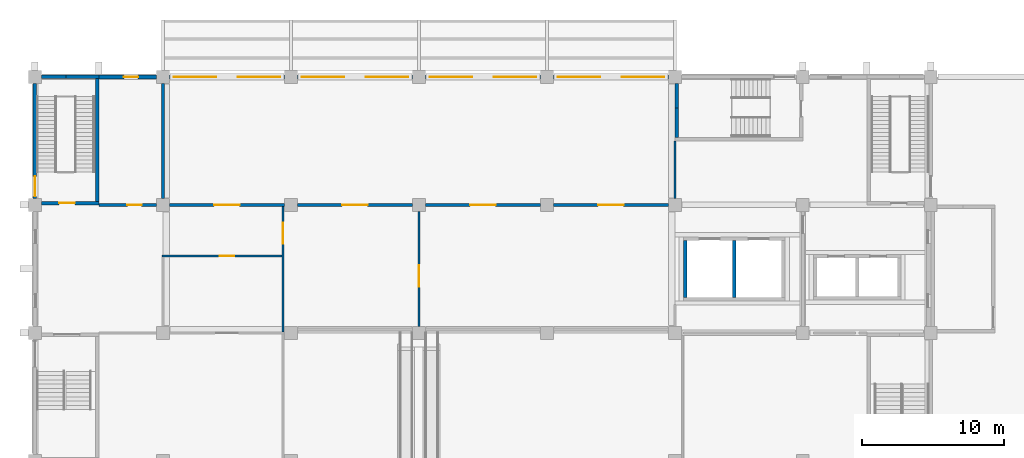
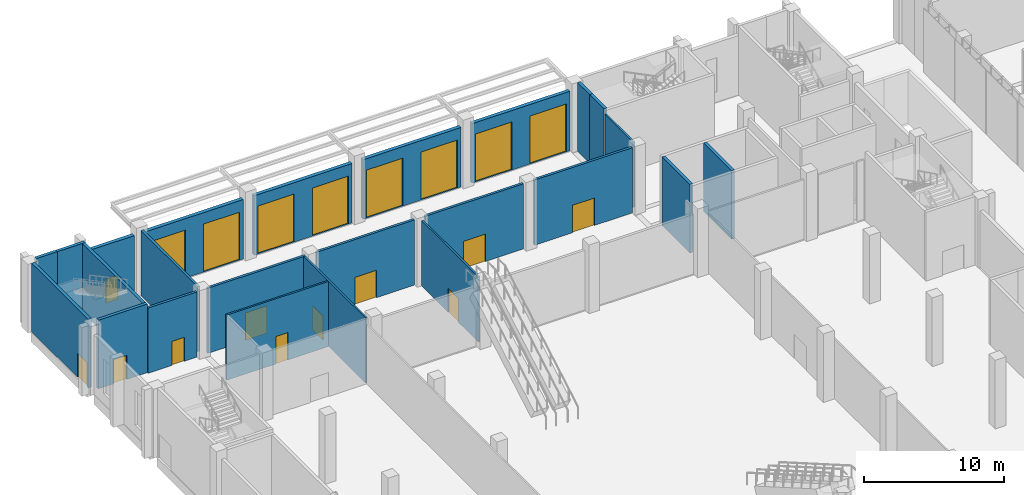
# One storey, part 54 of 86: 24 walls, 19 doors, 19 openings.
"""IFC4 building model written with IfcOpenShell, lengths in metres."""

from ifc_helpers import new_model, si_unit, direction, frame, frame_2d, origin, place, context, subcontext, project, spatial, rectangle, extrude, material, layer, layer_set, type_object, element, fill, save


model = new_model("IFC4")

# Units and contexts
model_context = context("Model", 3, precision=1e-05, world=origin(), true_north=direction((0.0, 1.0)))
body_context = subcontext(model_context, "Body", "Model", "MODEL_VIEW")
ifc_project = project(units=[si_unit("LENGTHUNIT", "METRE"), si_unit("AREAUNIT", "SQUARE_METRE"), si_unit("VOLUMEUNIT", "CUBIC_METRE"), si_unit("PLANEANGLEUNIT", "RADIAN"), si_unit("MASSUNIT", "GRAM", prefix="KILO")], contexts=[model_context])

# Site, building, storey
site_placement = place(None, origin())
site = spatial("IfcSite", under=ifc_project, at=site_placement, CompositionType="ELEMENT")
building_placement = place(site_placement, origin())
building = spatial("IfcBuilding", under=site, at=building_placement, Name="Guidao Yard Department Store", CompositionType="ELEMENT")
storey_placement = place(building_placement, origin())
storey = spatial("IfcBuildingStorey", under=building, at=storey_placement, Name="L00", CompositionType="ELEMENT", Elevation=0.0)

# Wall, opening, door
ifc_material_1 = material(Name="Concrete block MU10", Category="concrete")
ifc_layer_1 = layer(ifc_material_1, 0.199951171875)
ifc_layer_set_1 = layer_set([ifc_layer_1], Name="Fire Wall P3 200 mm blockwork EI 120")
wall_type_1 = type_object("IfcWallType", Name="Fire Wall P3 200 mm blockwork EI 120", PredefinedType="PARTITIONING", material=ifc_layer_set_1)
wall_1_placement = place(storey_placement, frame((4.5, 99.0, 0.0), z_axis=(0.0, 0.0, 1.0), x_axis=(1.0, 0.0, 0.0)))
wall_1 = element("IfcWall", 1, at=wall_1_placement, inside=storey, type_object=wall_type_1, Name="Wall W-HL00-021", PredefinedType="PARTITIONING", context=body_context, shape_type="SweptSolid", body=[
    extrude(rectangle(XDim=4.050048828125, YDim=0.199951171875, at=frame_2d((2.02490234375, 0.0))), origin(), (0.0, 0.0, 1.0), 5.699951171875),
])
opening_1_placement = place(wall_1_placement, frame((2.0, 0.0, 0.0)))
opening_1 = element("IfcOpeningElement", 2, at=opening_1_placement, cuts=wall_1, Name="Opening HL00-012", PredefinedType="OPENING", context=body_context, shape_type="SweptSolid", body=[
    extrude(rectangle(XDim=1.0, YDim=2.10009765625, at=frame_2d((0.5, 1.050048828125))), frame((0.0, 0.10986328125, 0.0), z_axis=(0.0, -1.0, 0.0), x_axis=(1.0, 0.0, 0.0)), (0.0, 0.0, 1.0), 0.219970703125),
])
ifc_material_2 = material(Name="Steel Q235", Category="steel")
door_type_1 = type_object("IfcDoorType", Name="Door FD4 1000 x 2100 FD60", OperationType="SINGLE_SWING_LEFT", PredefinedType="DOOR", material=ifc_material_2)
door_1_placement = place(opening_1_placement, origin())
door_1 = element("IfcDoor", 3, at=door_1_placement, inside=storey, type_object=door_type_1, Name="Door HL00-012", OperationType="SINGLE_SWING_RIGHT", OverallHeight=2.10009765625, OverallWidth=1.0, PredefinedType="DOOR", context=body_context, shape_type="SweptSolid", body=[
    extrude(rectangle(XDim=1.0, YDim=2.10009765625, at=frame_2d((0.5, 1.050048828125))), frame((0.0, 0.02490234375, 0.0), z_axis=(0.0, -1.0, 0.0), x_axis=(1.0, 0.0, 0.0)), (0.0, 0.0, 1.0), 0.050048828125),
])
fill(opening_1, door_1)

wall_2_placement = place(storey_placement, frame((9.449951171875, 99.0, 0.0), z_axis=(0.0, 0.0, 1.0), x_axis=(1.0, 0.0, 0.0)))
wall_2 = element("IfcWall", 4, at=wall_2_placement, inside=storey, type_object=wall_type_1, Name="Wall W-HL00-022", PredefinedType="PARTITIONING", context=body_context, shape_type="SweptSolid", body=[
    extrude(rectangle(XDim=8.10009765625, YDim=0.199951171875, at=frame_2d((4.050048828125, 0.0))), origin(), (0.0, 0.0, 1.0), 5.699951171875),
])
opening_2_placement = place(wall_2_placement, frame((3.14990234375, 0.0, 0.0)))
opening_2 = element("IfcOpeningElement", 5, at=opening_2_placement, cuts=wall_2, Name="Opening HL00-013", PredefinedType="OPENING", context=body_context, shape_type="SweptSolid", body=[
    extrude(rectangle(XDim=1.800048828125, YDim=2.39990234375, at=frame_2d((0.89990234375, 1.199951171875))), frame((0.0, 0.10986328125, 0.0), z_axis=(0.0, -1.0, 0.0), x_axis=(1.0, 0.0, 0.0)), (0.0, 0.0, 1.0), 0.219970703125),
])
ifc_material_3 = material(Name="Steel Q235", Category="steel")
door_type_2 = type_object("IfcDoorType", Name="Door FD12 pallet double 1800 x 2400 FD60", OperationType="DOUBLE_DOOR_SINGLE_SWING", PredefinedType="DOOR", material=ifc_material_3)
door_2_placement = place(opening_2_placement, origin())
door_2 = element("IfcDoor", 6, at=door_2_placement, inside=storey, type_object=door_type_2, Name="Door HL00-013", OperationType="DOUBLE_DOOR_SINGLE_SWING", OverallHeight=2.39990234375, OverallWidth=1.800048828125, PredefinedType="DOOR", context=body_context, shape_type="SweptSolid", body=[
    extrude(rectangle(XDim=1.800048828125, YDim=2.39990234375, at=frame_2d((0.89990234375, 1.199951171875))), frame((0.0, 0.02490234375, 0.0), z_axis=(0.0, -1.0, 0.0), x_axis=(1.0, 0.0, 0.0)), (0.0, 0.0, 1.0), 0.050048828125),
])
fill(opening_2, door_2)

wall_3_placement = place(storey_placement, frame((18.449951171875, 99.0, 0.0), z_axis=(0.0, 0.0, 1.0), x_axis=(1.0, 0.0, 0.0)))
wall_3 = element("IfcWall", 7, at=wall_3_placement, inside=storey, type_object=wall_type_1, Name="Wall W-HL00-023", PredefinedType="PARTITIONING", context=body_context, shape_type="SweptSolid", body=[
    extrude(rectangle(XDim=8.10009765625, YDim=0.199951171875, at=frame_2d((4.050048828125, 0.0))), origin(), (0.0, 0.0, 1.0), 5.699951171875),
])
opening_3_placement = place(wall_3_placement, frame((3.14990234375, 0.0, 0.0)))
opening_3 = element("IfcOpeningElement", 8, at=opening_3_placement, cuts=wall_3, Name="Opening HL00-014", PredefinedType="OPENING", context=body_context, shape_type="SweptSolid", body=[
    extrude(rectangle(XDim=1.800048828125, YDim=2.39990234375, at=frame_2d((0.89990234375, 1.199951171875))), frame((0.0, 0.10986328125, 0.0), z_axis=(0.0, -1.0, 0.0), x_axis=(1.0, 0.0, 0.0)), (0.0, 0.0, 1.0), 0.219970703125),
])
door_3_placement = place(opening_3_placement, origin())
door_3 = element("IfcDoor", 9, at=door_3_placement, inside=storey, type_object=door_type_2, Name="Door HL00-014", OperationType="DOUBLE_DOOR_SINGLE_SWING", OverallHeight=2.39990234375, OverallWidth=1.800048828125, PredefinedType="DOOR", context=body_context, shape_type="SweptSolid", body=[
    extrude(rectangle(XDim=1.800048828125, YDim=2.39990234375, at=frame_2d((0.89990234375, 1.199951171875))), frame((0.0, 0.02490234375, 0.0), z_axis=(0.0, -1.0, 0.0), x_axis=(1.0, 0.0, 0.0)), (0.0, 0.0, 1.0), 0.050048828125),
])
fill(opening_3, door_3)

wall_4_placement = place(storey_placement, frame((27.449951171875, 99.0, 0.0), z_axis=(0.0, 0.0, 1.0), x_axis=(1.0, 0.0, 0.0)))
wall_4 = element("IfcWall", 10, at=wall_4_placement, inside=storey, type_object=wall_type_1, Name="Wall W-HL00-024", PredefinedType="PARTITIONING", context=body_context, shape_type="SweptSolid", body=[
    extrude(rectangle(XDim=8.10009765625, YDim=0.199951171875, at=frame_2d((4.050048828125, 0.0))), origin(), (0.0, 0.0, 1.0), 5.699951171875),
])
opening_4_placement = place(wall_4_placement, frame((3.14990234375, 0.0, 0.0)))
opening_4 = element("IfcOpeningElement", 11, at=opening_4_placement, cuts=wall_4, Name="Opening HL00-015", PredefinedType="OPENING", context=body_context, shape_type="SweptSolid", body=[
    extrude(rectangle(XDim=1.800048828125, YDim=2.39990234375, at=frame_2d((0.89990234375, 1.199951171875))), frame((0.0, 0.10986328125, 0.0), z_axis=(0.0, -1.0, 0.0), x_axis=(1.0, 0.0, 0.0)), (0.0, 0.0, 1.0), 0.219970703125),
])
door_4_placement = place(opening_4_placement, origin())
door_4 = element("IfcDoor", 12, at=door_4_placement, inside=storey, type_object=door_type_2, Name="Door HL00-015", OperationType="DOUBLE_DOOR_SINGLE_SWING", OverallHeight=2.39990234375, OverallWidth=1.800048828125, PredefinedType="DOOR", context=body_context, shape_type="SweptSolid", body=[
    extrude(rectangle(XDim=1.800048828125, YDim=2.39990234375, at=frame_2d((0.89990234375, 1.199951171875))), frame((0.0, 0.02490234375, 0.0), z_axis=(0.0, -1.0, 0.0), x_axis=(1.0, 0.0, 0.0)), (0.0, 0.0, 1.0), 0.050048828125),
])
fill(opening_4, door_4)

wall_5_placement = place(storey_placement, frame((36.449951171875, 99.0, 0.0), z_axis=(0.0, 0.0, 1.0), x_axis=(1.0, 0.0, 0.0)))
wall_5 = element("IfcWall", 13, at=wall_5_placement, inside=storey, type_object=wall_type_1, Name="Wall W-HL00-025", PredefinedType="PARTITIONING", context=body_context, shape_type="SweptSolid", body=[
    extrude(rectangle(XDim=8.10009765625, YDim=0.199951171875, at=frame_2d((4.050048828125, 0.0))), origin(), (0.0, 0.0, 1.0), 5.699951171875),
])
opening_5_placement = place(wall_5_placement, frame((3.14990234375, 0.0, 0.0)))
opening_5 = element("IfcOpeningElement", 14, at=opening_5_placement, cuts=wall_5, Name="Opening HL00-016", PredefinedType="OPENING", context=body_context, shape_type="SweptSolid", body=[
    extrude(rectangle(XDim=1.800048828125, YDim=2.39990234375, at=frame_2d((0.89990234375, 1.199951171875))), frame((0.0, 0.10986328125, 0.0), z_axis=(0.0, -1.0, 0.0), x_axis=(1.0, 0.0, 0.0)), (0.0, 0.0, 1.0), 0.219970703125),
])
door_5_placement = place(opening_5_placement, origin())
door_5 = element("IfcDoor", 15, at=door_5_placement, inside=storey, type_object=door_type_2, Name="Door HL00-016", OperationType="DOUBLE_DOOR_SINGLE_SWING", OverallHeight=2.39990234375, OverallWidth=1.800048828125, PredefinedType="DOOR", context=body_context, shape_type="SweptSolid", body=[
    extrude(rectangle(XDim=1.800048828125, YDim=2.39990234375, at=frame_2d((0.89990234375, 1.199951171875))), frame((0.0, 0.02490234375, 0.0), z_axis=(0.0, -1.0, 0.0), x_axis=(1.0, 0.0, 0.0)), (0.0, 0.0, 1.0), 0.050048828125),
])
fill(opening_5, door_5)

# Wall
wall_6_placement = place(storey_placement, frame((9.0, 99.449951171875, 0.0), z_axis=(0.0, 0.0, 1.0), x_axis=(0.0, 1.0, 0.0)))
element("IfcWall", 16, at=wall_6_placement, inside=storey, type_object=wall_type_1, Name="Wall W-HL00-026", PredefinedType="PARTITIONING", context=body_context, shape_type="SweptSolid", body=[
    extrude(rectangle(XDim=8.10009765625, YDim=0.199951171875, at=frame_2d((4.050048828125, 0.0))), origin(), (0.0, 0.0, 1.0), 5.699951171875),
])

# Wall, opening, door
ifc_material_4 = material(Name="Concrete C35", Category="concrete")
ifc_layer_2 = layer(ifc_material_4, 0.300048828125)
ifc_layer_set_2 = layer_set([ifc_layer_2], Name="Hall facade wall 300 C35")
wall_type_2 = type_object("IfcWallType", Name="Hall facade wall 300 C35", PredefinedType="SOLIDWALL", material=ifc_layer_set_2)
wall_7_placement = place(storey_placement, frame((4.5, 108.0, 0.0), z_axis=(0.0, 0.0, 1.0), x_axis=(1.0, 0.0, 0.0)))
wall_7 = element("IfcWall", 17, at=wall_7_placement, inside=storey, type_object=wall_type_2, Name="Hall facade wall", PredefinedType="SOLIDWALL", context=body_context, shape_type="SweptSolid", body=[
    extrude(rectangle(XDim=4.050048828125, YDim=0.300048828125, at=frame_2d((2.02490234375, 0.0))), origin(), (0.0, 0.0, 1.0), 5.199951171875),
])
opening_6_placement = place(wall_7_placement, frame((1.75, 0.0, 0.0)))
opening_6 = element("IfcOpeningElement", 18, at=opening_6_placement, cuts=wall_7, Name="Opening L00-854", PredefinedType="OPENING", context=body_context, shape_type="SweptSolid", body=[
    extrude(rectangle(XDim=1.0, YDim=2.10009765625, at=frame_2d((0.5, 1.050048828125))), frame((0.0, 0.159912109375, 0.0), z_axis=(0.0, -1.0, 0.0), x_axis=(1.0, 0.0, 0.0)), (0.0, 0.0, 1.0), 0.320068359375),
])
ifc_material_5 = material(Name="Steel Q235", Category="steel")
door_type_3 = type_object("IfcDoorType", Name="Fire door FD60 1000 x 2100 single leaf", OperationType="SINGLE_SWING_LEFT", PredefinedType="DOOR", material=ifc_material_5)
door_6_placement = place(opening_6_placement, origin())
door_6 = element("IfcDoor", 19, at=door_6_placement, inside=storey, type_object=door_type_3, Name="Fire control room exit FCR1", OperationType="SINGLE_SWING_RIGHT", OverallHeight=2.10009765625, OverallWidth=1.0, PredefinedType="DOOR", context=body_context, shape_type="SweptSolid", body=[
    extrude(rectangle(XDim=1.0, YDim=2.10009765625, at=frame_2d((0.5, 1.050048828125))), frame((0.0, 0.02490234375, 0.0), z_axis=(0.0, -1.0, 0.0), x_axis=(1.0, 0.0, 0.0)), (0.0, 0.0, 1.0), 0.050048828125),
])
fill(opening_6, door_6)

# Wall, openings, doors
wall_8_placement = place(storey_placement, frame((9.449951171875, 108.0, 0.0), z_axis=(0.0, 0.0, 1.0), x_axis=(1.0, 0.0, 0.0)))
wall_8 = element("IfcWall", 20, at=wall_8_placement, inside=storey, type_object=wall_type_2, Name="Hall facade wall", PredefinedType="SOLIDWALL", context=body_context, shape_type="SweptSolid", body=[
    extrude(rectangle(XDim=8.10009765625, YDim=0.300048828125, at=frame_2d((4.050048828125, 0.0))), origin(), (0.0, 0.0, 1.0), 5.199951171875),
])
opening_7_placement = place(wall_8_placement, frame((0.300048828125, 0.0, 0.0)))
opening_7 = element("IfcOpeningElement", 21, at=opening_7_placement, cuts=wall_8, Name="Opening L00-855", PredefinedType="OPENING", context=body_context, shape_type="SweptSolid", body=[
    extrude(rectangle(XDim=3.0, YDim=4.199951171875, at=frame_2d((1.5, 2.10009765625))), frame((0.0, 0.159912109375, 0.0), z_axis=(0.0, -1.0, 0.0), x_axis=(1.0, 0.0, 0.0)), (0.0, 0.0, 1.0), 0.320068359375),
])
opening_8_placement = place(wall_8_placement, frame((4.800048828125, 0.0, 0.0)))
opening_8 = element("IfcOpeningElement", 22, at=opening_8_placement, cuts=wall_8, Name="Opening L00-856", PredefinedType="OPENING", context=body_context, shape_type="SweptSolid", body=[
    extrude(rectangle(XDim=3.0, YDim=4.199951171875, at=frame_2d((1.5, 2.10009765625))), frame((0.0, 0.159912109375, 0.0), z_axis=(0.0, -1.0, 0.0), x_axis=(1.0, 0.0, 0.0)), (0.0, 0.0, 1.0), 0.320068359375),
])
ifc_material_6 = material(Name="Steel Q235", Category="steel")
door_type_4 = type_object("IfcDoorType", Name="Dock door DD1 3000 x 4200 roller shutter", OperationType="ROLLINGUP", PredefinedType="DOOR", material=ifc_material_6)
door_7_placement = place(opening_7_placement, origin())
door_7 = element("IfcDoor", 23, at=door_7_placement, inside=storey, type_object=door_type_4, Name="Dock door", OperationType="ROLLINGUP", OverallHeight=4.199951171875, OverallWidth=3.0, PredefinedType="DOOR", context=body_context, shape_type="SweptSolid", body=[
    extrude(rectangle(XDim=3.0, YDim=4.199951171875, at=frame_2d((1.5, 2.10009765625))), frame((0.0, 0.02490234375, 0.0), z_axis=(0.0, -1.0, 0.0), x_axis=(1.0, 0.0, 0.0)), (0.0, 0.0, 1.0), 0.050048828125),
])
fill(opening_7, door_7)
door_8_placement = place(opening_8_placement, origin())
door_8 = element("IfcDoor", 24, at=door_8_placement, inside=storey, type_object=door_type_4, Name="Dock door", OperationType="ROLLINGUP", OverallHeight=4.199951171875, OverallWidth=3.0, PredefinedType="DOOR", context=body_context, shape_type="SweptSolid", body=[
    extrude(rectangle(XDim=3.0, YDim=4.199951171875, at=frame_2d((1.5, 2.10009765625))), frame((0.0, 0.02490234375, 0.0), z_axis=(0.0, -1.0, 0.0), x_axis=(1.0, 0.0, 0.0)), (0.0, 0.0, 1.0), 0.050048828125),
])
fill(opening_8, door_8)

wall_9_placement = place(storey_placement, frame((18.449951171875, 108.0, 0.0), z_axis=(0.0, 0.0, 1.0), x_axis=(1.0, 0.0, 0.0)))
wall_9 = element("IfcWall", 25, at=wall_9_placement, inside=storey, type_object=wall_type_2, Name="Hall facade wall", PredefinedType="SOLIDWALL", context=body_context, shape_type="SweptSolid", body=[
    extrude(rectangle(XDim=8.10009765625, YDim=0.300048828125, at=frame_2d((4.050048828125, 0.0))), origin(), (0.0, 0.0, 1.0), 5.199951171875),
])
opening_9_placement = place(wall_9_placement, frame((0.300048828125, 0.0, 0.0)))
opening_9 = element("IfcOpeningElement", 26, at=opening_9_placement, cuts=wall_9, Name="Opening L00-857", PredefinedType="OPENING", context=body_context, shape_type="SweptSolid", body=[
    extrude(rectangle(XDim=3.0, YDim=4.199951171875, at=frame_2d((1.5, 2.10009765625))), frame((0.0, 0.159912109375, 0.0), z_axis=(0.0, -1.0, 0.0), x_axis=(1.0, 0.0, 0.0)), (0.0, 0.0, 1.0), 0.320068359375),
])
opening_10_placement = place(wall_9_placement, frame((4.800048828125, 0.0, 0.0)))
opening_10 = element("IfcOpeningElement", 27, at=opening_10_placement, cuts=wall_9, Name="Opening L00-858", PredefinedType="OPENING", context=body_context, shape_type="SweptSolid", body=[
    extrude(rectangle(XDim=3.0, YDim=4.199951171875, at=frame_2d((1.5, 2.10009765625))), frame((0.0, 0.159912109375, 0.0), z_axis=(0.0, -1.0, 0.0), x_axis=(1.0, 0.0, 0.0)), (0.0, 0.0, 1.0), 0.320068359375),
])
door_9_placement = place(opening_9_placement, origin())
door_9 = element("IfcDoor", 28, at=door_9_placement, inside=storey, type_object=door_type_4, Name="Dock door", OperationType="ROLLINGUP", OverallHeight=4.199951171875, OverallWidth=3.0, PredefinedType="DOOR", context=body_context, shape_type="SweptSolid", body=[
    extrude(rectangle(XDim=3.0, YDim=4.199951171875, at=frame_2d((1.5, 2.10009765625))), frame((0.0, 0.02490234375, 0.0), z_axis=(0.0, -1.0, 0.0), x_axis=(1.0, 0.0, 0.0)), (0.0, 0.0, 1.0), 0.050048828125),
])
fill(opening_9, door_9)
door_10_placement = place(opening_10_placement, origin())
door_10 = element("IfcDoor", 29, at=door_10_placement, inside=storey, type_object=door_type_4, Name="Dock door", OperationType="ROLLINGUP", OverallHeight=4.199951171875, OverallWidth=3.0, PredefinedType="DOOR", context=body_context, shape_type="SweptSolid", body=[
    extrude(rectangle(XDim=3.0, YDim=4.199951171875, at=frame_2d((1.5, 2.10009765625))), frame((0.0, 0.02490234375, 0.0), z_axis=(0.0, -1.0, 0.0), x_axis=(1.0, 0.0, 0.0)), (0.0, 0.0, 1.0), 0.050048828125),
])
fill(opening_10, door_10)

wall_10_placement = place(storey_placement, frame((27.449951171875, 108.0, 0.0), z_axis=(0.0, 0.0, 1.0), x_axis=(1.0, 0.0, 0.0)))
wall_10 = element("IfcWall", 30, at=wall_10_placement, inside=storey, type_object=wall_type_2, Name="Hall facade wall", PredefinedType="SOLIDWALL", context=body_context, shape_type="SweptSolid", body=[
    extrude(rectangle(XDim=8.10009765625, YDim=0.300048828125, at=frame_2d((4.050048828125, 0.0))), origin(), (0.0, 0.0, 1.0), 5.199951171875),
])
opening_11_placement = place(wall_10_placement, frame((0.300048828125, 0.0, 0.0)))
opening_11 = element("IfcOpeningElement", 31, at=opening_11_placement, cuts=wall_10, Name="Opening L00-859", PredefinedType="OPENING", context=body_context, shape_type="SweptSolid", body=[
    extrude(rectangle(XDim=3.0, YDim=4.199951171875, at=frame_2d((1.5, 2.10009765625))), frame((0.0, 0.159912109375, 0.0), z_axis=(0.0, -1.0, 0.0), x_axis=(1.0, 0.0, 0.0)), (0.0, 0.0, 1.0), 0.320068359375),
])
opening_12_placement = place(wall_10_placement, frame((4.800048828125, 0.0, 0.0)))
opening_12 = element("IfcOpeningElement", 32, at=opening_12_placement, cuts=wall_10, Name="Opening L00-860", PredefinedType="OPENING", context=body_context, shape_type="SweptSolid", body=[
    extrude(rectangle(XDim=3.0, YDim=4.199951171875, at=frame_2d((1.5, 2.10009765625))), frame((0.0, 0.159912109375, 0.0), z_axis=(0.0, -1.0, 0.0), x_axis=(1.0, 0.0, 0.0)), (0.0, 0.0, 1.0), 0.320068359375),
])
door_11_placement = place(opening_11_placement, origin())
door_11 = element("IfcDoor", 33, at=door_11_placement, inside=storey, type_object=door_type_4, Name="Dock door", OperationType="ROLLINGUP", OverallHeight=4.199951171875, OverallWidth=3.0, PredefinedType="DOOR", context=body_context, shape_type="SweptSolid", body=[
    extrude(rectangle(XDim=3.0, YDim=4.199951171875, at=frame_2d((1.5, 2.10009765625))), frame((0.0, 0.02490234375, 0.0), z_axis=(0.0, -1.0, 0.0), x_axis=(1.0, 0.0, 0.0)), (0.0, 0.0, 1.0), 0.050048828125),
])
fill(opening_11, door_11)
door_12_placement = place(opening_12_placement, origin())
door_12 = element("IfcDoor", 34, at=door_12_placement, inside=storey, type_object=door_type_4, Name="Dock door", OperationType="ROLLINGUP", OverallHeight=4.199951171875, OverallWidth=3.0, PredefinedType="DOOR", context=body_context, shape_type="SweptSolid", body=[
    extrude(rectangle(XDim=3.0, YDim=4.199951171875, at=frame_2d((1.5, 2.10009765625))), frame((0.0, 0.02490234375, 0.0), z_axis=(0.0, -1.0, 0.0), x_axis=(1.0, 0.0, 0.0)), (0.0, 0.0, 1.0), 0.050048828125),
])
fill(opening_12, door_12)

wall_11_placement = place(storey_placement, frame((36.449951171875, 108.0, 0.0), z_axis=(0.0, 0.0, 1.0), x_axis=(1.0, 0.0, 0.0)))
wall_11 = element("IfcWall", 35, at=wall_11_placement, inside=storey, type_object=wall_type_2, Name="Hall facade wall", PredefinedType="SOLIDWALL", context=body_context, shape_type="SweptSolid", body=[
    extrude(rectangle(XDim=8.10009765625, YDim=0.300048828125, at=frame_2d((4.050048828125, 0.0))), origin(), (0.0, 0.0, 1.0), 5.199951171875),
])
opening_13_placement = place(wall_11_placement, frame((0.300048828125, 0.0, 0.0)))
opening_13 = element("IfcOpeningElement", 36, at=opening_13_placement, cuts=wall_11, Name="Opening L00-861", PredefinedType="OPENING", context=body_context, shape_type="SweptSolid", body=[
    extrude(rectangle(XDim=3.0, YDim=4.199951171875, at=frame_2d((1.5, 2.10009765625))), frame((0.0, 0.159912109375, 0.0), z_axis=(0.0, -1.0, 0.0), x_axis=(1.0, 0.0, 0.0)), (0.0, 0.0, 1.0), 0.320068359375),
])
opening_14_placement = place(wall_11_placement, frame((4.800048828125, 0.0, 0.0)))
opening_14 = element("IfcOpeningElement", 37, at=opening_14_placement, cuts=wall_11, Name="Opening L00-862", PredefinedType="OPENING", context=body_context, shape_type="SweptSolid", body=[
    extrude(rectangle(XDim=3.0, YDim=4.199951171875, at=frame_2d((1.5, 2.10009765625))), frame((0.0, 0.159912109375, 0.0), z_axis=(0.0, -1.0, 0.0), x_axis=(1.0, 0.0, 0.0)), (0.0, 0.0, 1.0), 0.320068359375),
])
door_13_placement = place(opening_13_placement, origin())
door_13 = element("IfcDoor", 38, at=door_13_placement, inside=storey, type_object=door_type_4, Name="Dock door", OperationType="ROLLINGUP", OverallHeight=4.199951171875, OverallWidth=3.0, PredefinedType="DOOR", context=body_context, shape_type="SweptSolid", body=[
    extrude(rectangle(XDim=3.0, YDim=4.199951171875, at=frame_2d((1.5, 2.10009765625))), frame((0.0, 0.02490234375, 0.0), z_axis=(0.0, -1.0, 0.0), x_axis=(1.0, 0.0, 0.0)), (0.0, 0.0, 1.0), 0.050048828125),
])
fill(opening_13, door_13)
door_14_placement = place(opening_14_placement, origin())
door_14 = element("IfcDoor", 39, at=door_14_placement, inside=storey, type_object=door_type_4, Name="Dock door", OperationType="ROLLINGUP", OverallHeight=4.199951171875, OverallWidth=3.0, PredefinedType="DOOR", context=body_context, shape_type="SweptSolid", body=[
    extrude(rectangle(XDim=3.0, YDim=4.199951171875, at=frame_2d((1.5, 2.10009765625))), frame((0.0, 0.02490234375, 0.0), z_axis=(0.0, -1.0, 0.0), x_axis=(1.0, 0.0, 0.0)), (0.0, 0.0, 1.0), 0.050048828125),
])
fill(opening_14, door_14)

# Wall, opening, door
ifc_material_7 = material(Name="Concrete block MU10", Category="concrete")
ifc_layer_3 = layer(ifc_material_7, 0.14990234375)
ifc_layer_set_3 = layer_set([ifc_layer_3], Name="Wall P2 150 mm blockwork EI 60")
wall_type_3 = type_object("IfcWallType", Name="Wall P2 150 mm blockwork EI 60", PredefinedType="PARTITIONING", material=ifc_layer_set_3)
wall_12_placement = place(storey_placement, frame((17.449951171875, 90.074951171875, 0.0), z_axis=(0.0, 0.0, 1.0), x_axis=(0.0, 1.0, 0.0)))
wall_12 = element("IfcWall", 40, at=wall_12_placement, inside=storey, type_object=wall_type_3, Name="Wall W-HL00-012", PredefinedType="PARTITIONING", context=body_context, shape_type="SweptSolid", body=[
    extrude(rectangle(XDim=8.824951171875, YDim=0.14990234375, at=frame_2d((4.41259765625, 0.0))), origin(), (0.0, 0.0, 1.0), 5.699951171875),
])
opening_15_placement = place(wall_12_placement, frame((7.675048828125, 0.0, 0.0), z_axis=(0.0, 0.0, 1.0), x_axis=(-1.0, 0.0, 0.0)))
opening_15 = element("IfcOpeningElement", 41, at=opening_15_placement, cuts=wall_12, Name="Opening HL00-010", PredefinedType="OPENING", context=body_context, shape_type="SweptSolid", body=[
    extrude(rectangle(XDim=1.5, YDim=2.10009765625, at=frame_2d((0.75, 1.050048828125))), frame((0.0, 0.0849609375, 0.0), z_axis=(0.0, -1.0, 0.0), x_axis=(1.0, 0.0, 0.0)), (0.0, 0.0, 1.0), 0.169921875),
])
ifc_material_8 = material(Name="Steel Q235", Category="steel")
door_type_5 = type_object("IfcDoorType", Name="Door FD11 trolley double 1500 x 2100 FD60", OperationType="DOUBLE_DOOR_SINGLE_SWING", PredefinedType="DOOR", material=ifc_material_8)
door_15_placement = place(opening_15_placement, origin())
door_15 = element("IfcDoor", 42, at=door_15_placement, inside=storey, type_object=door_type_5, Name="Door HL00-010", OperationType="DOUBLE_DOOR_SINGLE_SWING", OverallHeight=2.10009765625, OverallWidth=1.5, PredefinedType="DOOR", context=body_context, shape_type="SweptSolid", body=[
    extrude(rectangle(XDim=1.5, YDim=2.10009765625, at=frame_2d((0.75, 1.050048828125))), frame((0.0, 0.02490234375, 0.0), z_axis=(0.0, -1.0, 0.0), x_axis=(1.0, 0.0, 0.0)), (0.0, 0.0, 1.0), 0.050048828125),
])
fill(opening_15, door_15)

wall_13_placement = place(storey_placement, frame((27.0, 90.449951171875, 0.0), z_axis=(0.0, 0.0, 1.0), x_axis=(0.0, 1.0, 0.0)))
wall_13 = element("IfcWall", 43, at=wall_13_placement, inside=storey, type_object=wall_type_3, Name="Wall W-HL00-017", PredefinedType="PARTITIONING", context=body_context, shape_type="SweptSolid", body=[
    extrude(rectangle(XDim=8.10009765625, YDim=0.14990234375, at=frame_2d((4.050048828125, 0.0))), origin(), (0.0, 0.0, 1.0), 5.699951171875),
])
opening_16_placement = place(wall_13_placement, frame((2.800048828125, 0.0, 0.0)))
opening_16 = element("IfcOpeningElement", 44, at=opening_16_placement, cuts=wall_13, Name="Opening HL00-008", PredefinedType="OPENING", context=body_context, shape_type="SweptSolid", body=[
    extrude(rectangle(XDim=1.5, YDim=2.10009765625, at=frame_2d((0.75, 1.050048828125))), frame((0.0, 0.0849609375, 0.0), z_axis=(0.0, -1.0, 0.0), x_axis=(1.0, 0.0, 0.0)), (0.0, 0.0, 1.0), 0.169921875),
])
door_16_placement = place(opening_16_placement, origin())
door_16 = element("IfcDoor", 45, at=door_16_placement, inside=storey, type_object=door_type_5, Name="Door HL00-008", OperationType="DOUBLE_DOOR_SINGLE_SWING", OverallHeight=2.10009765625, OverallWidth=1.5, PredefinedType="DOOR", context=body_context, shape_type="SweptSolid", body=[
    extrude(rectangle(XDim=1.5, YDim=2.10009765625, at=frame_2d((0.75, 1.050048828125))), frame((0.0, 0.02490234375, 0.0), z_axis=(0.0, -1.0, 0.0), x_axis=(1.0, 0.0, 0.0)), (0.0, 0.0, 1.0), 0.050048828125),
])
fill(opening_16, door_16)

wall_14_placement = place(storey_placement, frame((8.925048828125, 95.39990234375, 0.0), z_axis=(0.0, 0.0, 1.0), x_axis=(1.0, 0.0, 0.0)))
wall_14 = element("IfcWall", 46, at=wall_14_placement, inside=storey, type_object=wall_type_3, Name="Wall W-HL00-020", PredefinedType="PARTITIONING", context=body_context, shape_type="SweptSolid", body=[
    extrude(rectangle(XDim=8.449951171875, YDim=0.14990234375, at=frame_2d((4.22509765625, 0.0))), origin(), (0.0, 0.0, 1.0), 5.699951171875),
])
opening_17_placement = place(wall_14_placement, frame((5.074951171875, 0.0, 0.0), z_axis=(0.0, 0.0, 1.0), x_axis=(-1.0, 0.0, 0.0)))
opening_17 = element("IfcOpeningElement", 47, at=opening_17_placement, cuts=wall_14, Name="Opening HL00-009", PredefinedType="OPENING", context=body_context, shape_type="SweptSolid", body=[
    extrude(rectangle(XDim=1.0, YDim=2.39990234375, at=frame_2d((0.5, 1.199951171875))), frame((0.0, 0.0849609375, 0.0), z_axis=(0.0, -1.0, 0.0), x_axis=(1.0, 0.0, 0.0)), (0.0, 0.0, 1.0), 0.169921875),
])
ifc_material_9 = material(Name="Steel Q235", Category="steel")
door_type_6 = type_object("IfcDoorType", Name="Door FD15 staff 1000 x 2400 FD60", OperationType="SINGLE_SWING_LEFT", PredefinedType="DOOR", material=ifc_material_9)
door_17_placement = place(opening_17_placement, origin())
door_17 = element("IfcDoor", 48, at=door_17_placement, inside=storey, type_object=door_type_6, Name="Door HL00-009", OperationType="SINGLE_SWING_LEFT", OverallHeight=2.39990234375, OverallWidth=1.0, PredefinedType="DOOR", context=body_context, shape_type="SweptSolid", body=[
    extrude(rectangle(XDim=1.0, YDim=2.39990234375, at=frame_2d((0.5, 1.199951171875))), frame((0.0, 0.02490234375, 0.0), z_axis=(0.0, -1.0, 0.0), x_axis=(1.0, 0.0, 0.0)), (0.0, 0.0, 1.0), 0.050048828125),
])
fill(opening_17, door_17)

# Wall
wall_15_placement = place(storey_placement, frame((45.0, 99.449951171875, 0.0), z_axis=(0.0, 0.0, 1.0), x_axis=(0.0, 1.0, 0.0)))
element("IfcWall", 49, at=wall_15_placement, inside=storey, type_object=wall_type_3, Name="Wall W-HL00-027", PredefinedType="PARTITIONING", context=body_context, shape_type="SweptSolid", body=[
    extrude(rectangle(XDim=4.050048828125, YDim=0.14990234375, at=frame_2d((2.02490234375, 0.0))), origin(), (0.0, 0.0, 1.0), 5.699951171875),
])

# Wall, opening, door
ifc_material_10 = material(Name="Concrete C40", Category="concrete")
ifc_layer_4 = layer(ifc_material_10, 0.25)
ifc_layer_set_4 = layer_set([ifc_layer_4], Name="Wall RC 250 C40 stair and shaft")
wall_type_4 = type_object("IfcWallType", Name="Wall RC 250 C40 stair and shaft", PredefinedType="SHEAR", material=ifc_layer_set_4)
wall_16_placement = place(storey_placement, frame((0.449951171875, 99.125, 0.0), z_axis=(0.0, 0.0, 1.0), x_axis=(1.0, 0.0, 0.0)))
wall_16 = element("IfcWall", 50, at=wall_16_placement, inside=storey, type_object=wall_type_4, Name="Stair wall SA5", PredefinedType="SHEAR", context=body_context, shape_type="SweptSolid", body=[
    extrude(rectangle(XDim=4.050048828125, YDim=0.25, at=frame_2d((2.02490234375, 0.0))), origin(), (0.0, 0.0, 1.0), 6.0),
])
opening_18_placement = place(wall_16_placement, frame((1.25, 0.0, 0.0)))
opening_18 = element("IfcOpeningElement", 51, at=opening_18_placement, cuts=wall_16, Name="Opening L00-816", PredefinedType="OPENING", context=body_context, shape_type="SweptSolid", body=[
    extrude(rectangle(XDim=1.10009765625, YDim=2.10009765625, at=frame_2d((0.550048828125, 1.050048828125))), frame((0.0, 0.135009765625, 0.0), z_axis=(0.0, -1.0, 0.0), x_axis=(1.0, 0.0, 0.0)), (0.0, 0.0, 1.0), 0.27001953125),
])
ifc_material_11 = material(Name="Steel Q235", Category="steel")
door_type_7 = type_object("IfcDoorType", Name="Door fire-resisting 1100 x 2100 FD60", OperationType="SINGLE_SWING_LEFT", PredefinedType="DOOR", material=ifc_material_11)
door_18_placement = place(opening_18_placement, origin())
door_18 = element("IfcDoor", 52, at=door_18_placement, inside=storey, type_object=door_type_7, Name="Stair A5 door L00", OperationType="SINGLE_SWING_LEFT", OverallHeight=2.10009765625, OverallWidth=1.10009765625, PredefinedType="DOOR", context=body_context, shape_type="SweptSolid", body=[
    extrude(rectangle(XDim=1.10009765625, YDim=2.10009765625, at=frame_2d((0.550048828125, 1.050048828125))), frame((0.0, 0.02490234375, 0.0), z_axis=(0.0, -1.0, 0.0), x_axis=(1.0, 0.0, 0.0)), (0.0, 0.0, 1.0), 0.050048828125),
])
fill(opening_18, door_18)

# Walls
wall_17_placement = place(storey_placement, frame((0.449951171875, 108.0, 0.0), z_axis=(0.0, 0.0, 1.0), x_axis=(1.0, 0.0, 0.0)))
element("IfcWall", 53, at=wall_17_placement, inside=storey, type_object=wall_type_4, Name="Stair wall SA5", PredefinedType="SHEAR", context=body_context, shape_type="SweptSolid", body=[
    extrude(rectangle(XDim=1.738037109375, YDim=0.25, at=frame_2d((0.869140625, 0.0))), origin(), (0.0, 0.0, 1.0), 6.0),
])
wall_18_placement = place(storey_placement, frame((2.18798828125, 108.0, 0.0), z_axis=(0.0, 0.0, 1.0), x_axis=(1.0, 0.0, 0.0)))
element("IfcWall", 54, at=wall_18_placement, inside=storey, type_object=wall_type_4, Name="Stair wall SA5", PredefinedType="SHEAR", context=body_context, shape_type="SweptSolid", body=[
    extrude(rectangle(XDim=2.31201171875, YDim=0.25, at=frame_2d((1.156005859375, 0.0))), origin(), (0.0, 0.0, 1.0), 6.0),
])

# Wall, opening, door
wall_19_placement = place(storey_placement, frame((0.0, 99.449951171875, 0.0), z_axis=(0.0, 0.0, 1.0), x_axis=(0.0, 1.0, 0.0)))
wall_19 = element("IfcWall", 55, at=wall_19_placement, inside=storey, type_object=wall_type_4, Name="Stair wall SA5", PredefinedType="SHEAR", context=body_context, shape_type="SweptSolid", body=[
    extrude(rectangle(XDim=8.10009765625, YDim=0.25, at=frame_2d((4.050048828125, 0.0))), origin(), (0.0, 0.0, 1.0), 6.0),
])
opening_19_placement = place(wall_19_placement, frame((0.14990234375, 0.0, 0.0)))
opening_19 = element("IfcOpeningElement", 56, at=opening_19_placement, cuts=wall_19, Name="Opening L00-817", PredefinedType="OPENING", context=body_context, shape_type="SweptSolid", body=[
    extrude(rectangle(XDim=1.39990234375, YDim=2.10009765625, at=frame_2d((0.699951171875, 1.050048828125))), frame((0.0, 0.135009765625, 0.0), z_axis=(0.0, -1.0, 0.0), x_axis=(1.0, 0.0, 0.0)), (0.0, 0.0, 1.0), 0.27001953125),
])
ifc_material_12 = material(Name="Steel Q235", Category="steel")
door_type_8 = type_object("IfcDoorType", Name="Door fire-resisting 1400 x 2100 FD60", OperationType="DOUBLE_DOOR_SINGLE_SWING", PredefinedType="DOOR", material=ifc_material_12)
door_19_placement = place(opening_19_placement, origin())
door_19 = element("IfcDoor", 57, at=door_19_placement, inside=storey, type_object=door_type_8, Name="Stair A5 door L00 discharge", OperationType="DOUBLE_DOOR_SINGLE_SWING", OverallHeight=2.10009765625, OverallWidth=1.39990234375, PredefinedType="DOOR", context=body_context, shape_type="SweptSolid", body=[
    extrude(rectangle(XDim=1.39990234375, YDim=2.10009765625, at=frame_2d((0.699951171875, 1.050048828125))), frame((0.0, 0.02490234375, 0.0), z_axis=(0.0, -1.0, 0.0), x_axis=(1.0, 0.0, 0.0)), (0.0, 0.0, 1.0), 0.050048828125),
])
fill(opening_19, door_19)

# Walls
wall_20_placement = place(storey_placement, frame((4.375, 99.25, 0.0), z_axis=(0.0, 0.0, 1.0), x_axis=(0.0, 1.0, 0.0)))
element("IfcWall", 58, at=wall_20_placement, inside=storey, type_object=wall_type_4, Name="Stair wall SA5", PredefinedType="SHEAR", context=body_context, shape_type="SweptSolid", body=[
    extrude(rectangle(XDim=8.625, YDim=0.25, at=frame_2d((4.3125, 0.0))), origin(), (0.0, 0.0, 1.0), 6.0),
])
wall_21_placement = place(storey_placement, frame((45.125, 103.75, 0.0), z_axis=(0.0, 0.0, 1.0), x_axis=(0.0, 1.0, 0.0)))
element("IfcWall", 59, at=wall_21_placement, inside=storey, type_object=wall_type_4, Name="Stair wall SA7", PredefinedType="SHEAR", context=body_context, shape_type="SweptSolid", body=[
    extrude(rectangle(XDim=2.06201171875, YDim=0.25, at=frame_2d((1.031005859375, 0.0))), origin(), (0.0, 0.0, 1.0), 6.0),
])
wall_22_placement = place(storey_placement, frame((45.125, 105.81201171875, 0.0), z_axis=(0.0, 0.0, 1.0), x_axis=(0.0, 1.0, 0.0)))
element("IfcWall", 60, at=wall_22_placement, inside=storey, type_object=wall_type_4, Name="Stair wall SA7", PredefinedType="SHEAR", context=body_context, shape_type="SweptSolid", body=[
    extrude(rectangle(XDim=1.738037109375, YDim=0.25, at=frame_2d((0.869140625, 0.0))), origin(), (0.0, 0.0, 1.0), 6.0),
])
for number, where, z_axis, x_axis, name in (
    (61, (45.72509765625, 92.5, 0.0), (0.0, 0.0, 1.0), (0.0, 1.0, 0.0), "Lift shaft wall HG1 to HG2"),
    (62, (49.175048828125, 92.5, 0.0), (0.0, 0.0, 1.0), (0.0, 1.0, 0.0), "Lift shaft wall HG1 to HG2"),
):
    element("IfcWall", number, at=place(storey_placement, frame(where, z_axis=z_axis, x_axis=x_axis)), inside=storey, type_object=wall_type_4, Name=name, PredefinedType="SHEAR", context=body_context, shape_type="SweptSolid", body=[
        extrude(rectangle(XDim=4.0, YDim=0.25, at=frame_2d((2.0, 0.0))), origin(), (0.0, 0.0, 1.0), 6.0),
    ])

save(model, "model.ifc")
